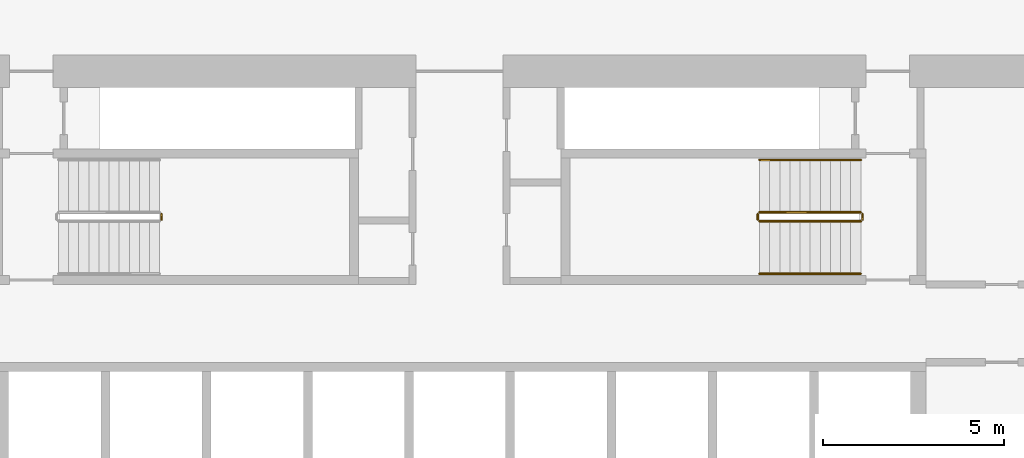
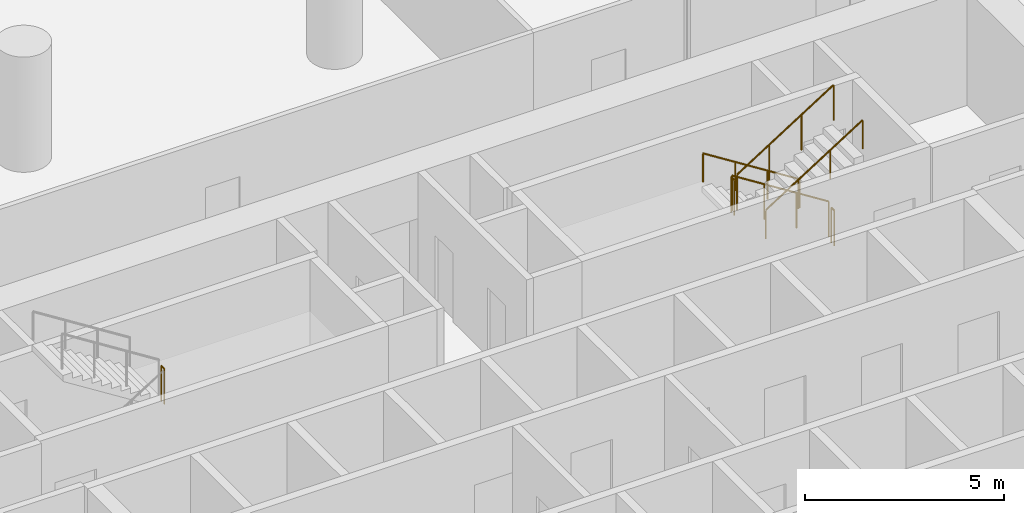
# One storey, part 17 of 18: 7 railings.
"""IFC4 building model written with IfcOpenShell, lengths in metres."""

from ifc_helpers import new_model, si_unit, direction, frame, origin, origin_2d, place, context, subcontext, project, spatial, circle, extrude, material, type_object, element, save


model = new_model("IFC4")

# Units and contexts
model_context = context("Model", 3, precision=1e-05, world=origin(), true_north=direction((0.0, 1.0)))
body_context = subcontext(model_context, "Body", "Model", "MODEL_VIEW")
ifc_project = project(units=[si_unit("LENGTHUNIT", "METRE"), si_unit("AREAUNIT", "SQUARE_METRE"), si_unit("VOLUMEUNIT", "CUBIC_METRE"), si_unit("PLANEANGLEUNIT", "RADIAN"), si_unit("MASSUNIT", "GRAM", prefix="KILO")], contexts=[model_context])

# Site, building, storey
site_placement = place(None, origin())
site = spatial("IfcSite", under=ifc_project, at=site_placement, CompositionType="ELEMENT")
building_placement = place(site_placement, origin())
building = spatial("IfcBuilding", under=site, at=building_placement, Name="Dhurran Vertical Campus", CompositionType="ELEMENT")
storey_placement = place(building_placement, frame((0.0, 0.0, 30.0)))
storey = spatial("IfcBuildingStorey", under=building, at=storey_placement, Name="L06", CompositionType="ELEMENT", Elevation=30.0)

# Railings
ifc_material_1 = material(Name="Stainless steel balustrade", Category="steel")
railing_type_1 = type_object("IfcRailingType", Name="co-RL-GUARD-1100", PredefinedType="GUARDRAIL", material=ifc_material_1)
railing_1_placement = place(storey_placement, frame((-8.25, 8.949951171875, 1.949951171875)))
element("IfcRailing", 1, at=railing_1_placement, inside=storey, type_object=railing_type_1, Name="L06 ST1 stair guard 2", PredefinedType="GUARDRAIL", context=body_context, shape_type="SweptSolid", body=[
    extrude(circle(Radius=0.02392578125, at=origin_2d()), frame((0.0, 0.0, 1.076171875), z_axis=(0.0, 1.0, 0.0), x_axis=(-1.0, 0.0, 0.0)), (0.0, 0.0, 1.0), 0.150146484375),
    extrude(circle(Radius=0.02099609375, at=origin_2d()), origin(), (0.0, 0.0, 1.0), 1.052001953125),
    extrude(circle(Radius=0.02099609375, at=origin_2d()), frame((0.0, 0.150146484375, 0.0)), (0.0, 0.0, 1.0), 1.052001953125),
])
railing_2_placement = place(storey_placement, frame((11.10009765625, 9.14990234375, 0.17724609375)))
element("IfcRailing", 2, at=railing_2_placement, inside=storey, type_object=railing_type_1, Name="L06 ST2 stair guard 1", PredefinedType="GUARDRAIL", context=body_context, shape_type="SweptSolid", body=[
    extrude(circle(Radius=0.02392578125, at=origin_2d()), frame((0.0, 0.0, 1.076171875), z_axis=(-0.844908973607, 0.0, 0.534910110503), x_axis=(0.0, -1.0, 0.0)), (0.0, 0.0, 1.0), 3.31396484375),
    extrude(circle(Radius=0.02099609375, at=origin_2d()), origin(), (0.0, 0.0, 1.0), 1.052001953125),
    extrude(circle(Radius=0.02099609375, at=origin_2d()), frame((-0.933349609375, 0.0, 0.5908203125)), (0.0, 0.0, 1.0), 1.052001953125),
    extrude(circle(Radius=0.02099609375, at=origin_2d()), frame((-1.86669921875, 0.0, 1.181884765625)), (0.0, 0.0, 1.0), 1.052001953125),
    extrude(circle(Radius=0.02099609375, at=origin_2d()), frame((-2.800048828125, 0.0, 1.772705078125)), (0.0, 0.0, 1.0), 1.052001953125),
])
railing_3_placement = place(storey_placement, frame((8.25, 9.10009765625, 1.949951171875)))
element("IfcRailing", 3, at=railing_3_placement, inside=storey, type_object=railing_type_1, Name="L06 ST2 stair guard 2", PredefinedType="GUARDRAIL", context=body_context, shape_type="SweptSolid", body=[
    extrude(circle(Radius=0.02392578125, at=origin_2d()), frame((0.0, 0.0, 1.076171875), z_axis=(0.0, -1.0, 0.0), x_axis=(1.0, 0.0, 0.0)), (0.0, 0.0, 1.0), 0.150146484375),
    extrude(circle(Radius=0.02099609375, at=origin_2d()), origin(), (0.0, 0.0, 1.0), 1.052001953125),
    extrude(circle(Radius=0.02099609375, at=origin_2d()), frame((0.0, -0.150146484375, 0.0)), (0.0, 0.0, 1.0), 1.052001953125),
])
railing_4_placement = place(storey_placement, frame((8.300048828125, 8.89990234375, 2.127197265625)))
element("IfcRailing", 4, at=railing_4_placement, inside=storey, type_object=railing_type_1, Name="L06 ST2 stair guard 3", PredefinedType="GUARDRAIL", context=body_context, shape_type="SweptSolid", body=[
    extrude(circle(Radius=0.02392578125, at=origin_2d()), frame((0.0, 0.0, 1.076171875), z_axis=(0.844908973607, 0.0, 0.534910110503), x_axis=(0.0, 1.0, 0.0)), (0.0, 0.0, 1.0), 3.31396484375),
    extrude(circle(Radius=0.02099609375, at=origin_2d()), origin(), (0.0, 0.0, 1.0), 1.052001953125),
    extrude(circle(Radius=0.02099609375, at=origin_2d()), frame((0.933349609375, 0.0, 0.5908203125)), (0.0, 0.0, 1.0), 1.052001953125),
    extrude(circle(Radius=0.02099609375, at=origin_2d()), frame((1.86669921875, 0.0, 1.181884765625)), (0.0, 0.0, 1.0), 1.052001953125),
    extrude(circle(Radius=0.02099609375, at=origin_2d()), frame((2.800048828125, 0.0, 1.772705078125)), (0.0, 0.0, 1.0), 1.052001953125),
])
railing_5_placement = place(storey_placement, frame((11.14990234375, 9.10009765625, 0.0)))
element("IfcRailing", 5, at=railing_5_placement, inside=storey, type_object=railing_type_1, Name="L06 ST2 stair guard 4", PredefinedType="GUARDRAIL", context=body_context, shape_type="SweptSolid", body=[
    extrude(circle(Radius=0.02392578125, at=origin_2d()), frame((0.0, 0.0, 1.076171875), z_axis=(0.0, -1.0, 0.0), x_axis=(1.0, 0.0, 0.0)), (0.0, 0.0, 1.0), 0.150146484375),
    extrude(circle(Radius=0.02099609375, at=origin_2d()), origin(), (0.0, 0.0, 1.0), 1.052001953125),
    extrude(circle(Radius=0.02099609375, at=origin_2d()), frame((0.0, -0.150146484375, 0.0)), (0.0, 0.0, 1.0), 1.052001953125),
])
ifc_material_2 = material(Name="Stainless steel handrail", Category="steel")
railing_type_2 = type_object("IfcRailingType", Name="co-RL-HANDRAIL-900", PredefinedType="HANDRAIL", material=ifc_material_2)
railing_6_placement = place(storey_placement, frame((11.10009765625, 10.60009765625, 0.17724609375)))
element("IfcRailing", 6, at=railing_6_placement, inside=storey, type_object=railing_type_2, Name="L06 ST2 stair handrail 1", PredefinedType="HANDRAIL", context=body_context, shape_type="SweptSolid", body=[
    extrude(circle(Radius=0.02392578125, at=origin_2d()), frame((0.0, 0.0, 0.8759765625), z_axis=(-0.844908973607, 0.0, 0.534910110503), x_axis=(0.0, -1.0, 0.0)), (0.0, 0.0, 1.0), 3.31396484375),
    extrude(circle(Radius=0.02099609375, at=origin_2d()), origin(), (0.0, 0.0, 1.0), 0.851806640625),
    extrude(circle(Radius=0.02099609375, at=origin_2d()), frame((-0.933349609375, 0.0, 0.5908203125)), (0.0, 0.0, 1.0), 0.851806640625),
    extrude(circle(Radius=0.02099609375, at=origin_2d()), frame((-1.86669921875, 0.0, 1.181884765625)), (0.0, 0.0, 1.0), 0.851806640625),
    extrude(circle(Radius=0.02099609375, at=origin_2d()), frame((-2.800048828125, 0.0, 1.772705078125)), (0.0, 0.0, 1.0), 0.851806640625),
])
railing_7_placement = place(storey_placement, frame((8.300048828125, 7.449951171875, 2.127197265625)))
element("IfcRailing", 7, at=railing_7_placement, inside=storey, type_object=railing_type_2, Name="L06 ST2 stair handrail 2", PredefinedType="HANDRAIL", context=body_context, shape_type="SweptSolid", body=[
    extrude(circle(Radius=0.02392578125, at=origin_2d()), frame((0.0, 0.0, 0.8759765625), z_axis=(0.844908973607, 0.0, 0.534910110503), x_axis=(0.0, 1.0, 0.0)), (0.0, 0.0, 1.0), 3.31396484375),
    extrude(circle(Radius=0.02099609375, at=origin_2d()), origin(), (0.0, 0.0, 1.0), 0.851806640625),
    extrude(circle(Radius=0.02099609375, at=origin_2d()), frame((0.933349609375, 0.0, 0.5908203125)), (0.0, 0.0, 1.0), 0.851806640625),
    extrude(circle(Radius=0.02099609375, at=origin_2d()), frame((1.86669921875, 0.0, 1.181884765625)), (0.0, 0.0, 1.0), 0.851806640625),
    extrude(circle(Radius=0.02099609375, at=origin_2d()), frame((2.800048828125, 0.0, 1.772705078125)), (0.0, 0.0, 1.0), 0.851806640625),
])

save(model, "model.ifc")
